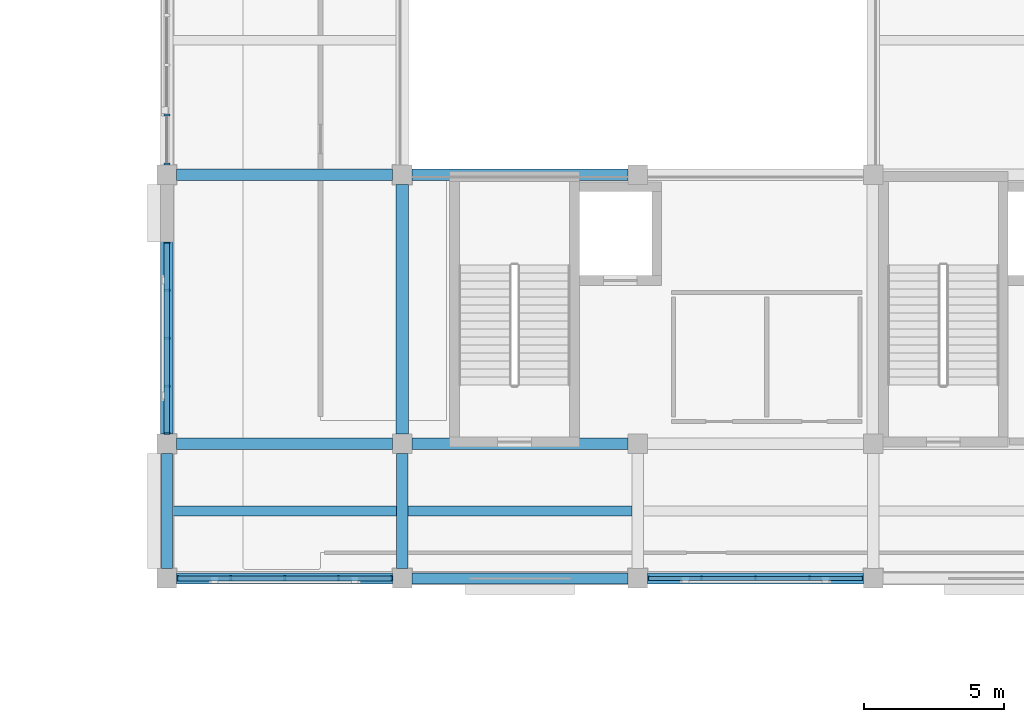
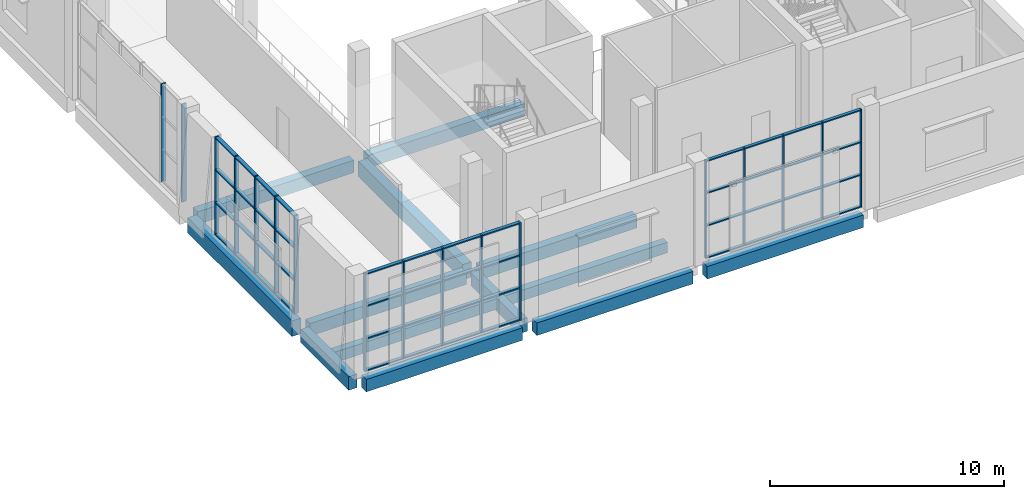
# One storey, part 27 of 72: 29 members, 13 beams, 4 elements without a shape of their own.
"""IFC4 building model written with IfcOpenShell, lengths in metres."""

from ifc_helpers import new_model, si_unit, direction, frame, origin, origin_2d, place, context, subcontext, project, spatial, rectangle, extrude, material, material_profile, profile_set, type_object, element, aggregate, save


model = new_model("IFC4")

# Units and contexts
model_context = context("Model", 3, precision=1e-05, world=origin(), true_north=direction((0.0, 1.0)))
body_context = subcontext(model_context, "Body", "Model", "MODEL_VIEW")
ifc_project = project(units=[si_unit("LENGTHUNIT", "METRE"), si_unit("AREAUNIT", "SQUARE_METRE"), si_unit("VOLUMEUNIT", "CUBIC_METRE"), si_unit("PLANEANGLEUNIT", "RADIAN"), si_unit("MASSUNIT", "GRAM", prefix="KILO")], contexts=[model_context])

# Site, building, storey
site_placement = place(None, origin())
site = spatial("IfcSite", under=ifc_project, at=site_placement, CompositionType="ELEMENT")
building_placement = place(site_placement, origin())
building = spatial("IfcBuilding", under=site, at=building_placement, Name="Shalvenor Court Art Gallery", CompositionType="ELEMENT")
storey_placement = place(building_placement, frame((0.0, 0.0, 11.39990234375)))
storey = spatial("IfcBuildingStorey", under=building, at=storey_placement, Name="L02", CompositionType="ELEMENT", Elevation=11.39990234375)

# Beams
ifc_material_1 = material(Name="Concrete C40/50", Category="concrete")
ifc_material_profile_1 = material_profile(ifc_material_1, rectangle(XDim=0.449951171875, YDim=0.800048828125, at=origin_2d()), Name="RC 450x800")
ifc_profile_set_1 = profile_set([ifc_material_profile_1], Name="Concrete C40/50")
beam_type_1 = type_object("IfcBeamType", Name="B-03", PredefinedType="BEAM", material=ifc_profile_set_1)
for number, where, z_axis, x_axis, name in (
    (1, (142.800048828125, 50.75, -0.719970703125), (0.0, 1.0, 0.0), (-1.0, 0.0, 0.0), "L02 Girder BM-L02-B-03-0771"),
    (2, (151.199951171875, 50.75, -0.719970703125), (0.0, 1.0, 0.0), (-1.0, 0.0, 0.0), "L02 Girder BM-L02-B-03-0777"),
):
    element("IfcBeam", number, at=place(storey_placement, frame(where, z_axis=z_axis, x_axis=x_axis)), inside=storey, type_object=beam_type_1, Name=name, PredefinedType="BEAM", context=body_context, shape_type="SweptSolid", body=[
        extrude(rectangle(XDim=0.449951171875, YDim=0.800048828125, at=origin_2d()), origin(), (0.0, 0.0, 1.0), 8.89990234375),
    ])
ifc_material_2 = material(Name="Concrete C40/50", Category="concrete")
ifc_material_profile_2 = material_profile(ifc_material_2, rectangle(XDim=0.39990234375, YDim=0.699951171875, at=origin_2d()), Name="RC 400x700")
ifc_profile_set_2 = profile_set([ifc_material_profile_2], Name="Concrete C40/50")
beam_type_2 = type_object("IfcBeamType", Name="B-05", PredefinedType="BEAM", material=ifc_profile_set_2)
for number, where, z_axis, x_axis, name in (
    (3, (142.800048828125, 45.949951171875, -0.669921875), (0.0, 1.0, 0.0), (-1.0, 0.0, 0.0), "L02 Girder BM-L02-B-05-0770"),
    (4, (151.199951171875, 45.949951171875, -0.669921875), (0.0, 1.0, 0.0), (-1.0, 0.0, 0.0), "L02 Girder BM-L02-B-05-0776"),
):
    element("IfcBeam", number, at=place(storey_placement, frame(where, z_axis=z_axis, x_axis=x_axis)), inside=storey, type_object=beam_type_2, Name=name, PredefinedType="BEAM", context=body_context, shape_type="SweptSolid", body=[
        extrude(rectangle(XDim=0.39990234375, YDim=0.699951171875, at=origin_2d()), origin(), (0.0, 0.0, 1.0), 4.10009765625),
    ])
ifc_material_3 = material(Name="Concrete C40/50", Category="concrete")
ifc_material_profile_3 = material_profile(ifc_material_3, rectangle(XDim=0.39990234375, YDim=0.64990234375, at=origin_2d()), Name="RC 400x650")
ifc_profile_set_3 = profile_set([ifc_material_profile_3], Name="Concrete C40/50")
beam_type_3 = type_object("IfcBeamType", Name="B-06", PredefinedType="BEAM", material=ifc_profile_set_3)
beam_1_placement = place(storey_placement, frame((143.14990234375, 45.60009765625, -0.64501953125), z_axis=(1.0, 0.0, 0.0), x_axis=(0.0, 1.0, 0.0)))
element("IfcBeam", 5, at=beam_1_placement, inside=storey, type_object=beam_type_3, Name="L02 Girder BM-L02-B-06-0841", PredefinedType="BEAM", context=body_context, shape_type="SweptSolid", body=[
    extrude(rectangle(XDim=0.39990234375, YDim=0.64990234375, at=origin_2d()), origin(), (0.0, 0.0, 1.0), 7.7001953125),
])
for number, where, z_axis, x_axis, name in (
    (6, (151.550048828125, 45.60009765625, -0.64501953125), (1.0, 0.0, 0.0), (0.0, 1.0, 0.0), "L02 Girder BM-L02-B-06-0842"),
    (7, (159.949951171875, 45.60009765625, -0.64501953125), (1.0, 0.0, 0.0), (0.0, 1.0, 0.0), "L02 Girder BM-L02-B-06-0843"),
):
    element("IfcBeam", number, at=place(storey_placement, frame(where, z_axis=z_axis, x_axis=x_axis)), inside=storey, type_object=beam_type_3, Name=name, PredefinedType="BEAM", context=body_context, shape_type="SweptSolid", body=[
        extrude(rectangle(XDim=0.39990234375, YDim=0.64990234375, at=origin_2d()), origin(), (0.0, 0.0, 1.0), 7.699951171875),
    ])
beam_2_placement = place(storey_placement, frame((143.14990234375, 50.39990234375, -0.64501953125), z_axis=(1.0, 0.0, 0.0), x_axis=(0.0, 1.0, 0.0)))
element("IfcBeam", 8, at=beam_2_placement, inside=storey, type_object=beam_type_3, Name="L02 Girder BM-L02-B-06-0845", PredefinedType="BEAM", context=body_context, shape_type="SweptSolid", body=[
    extrude(rectangle(XDim=0.39990234375, YDim=0.64990234375, at=origin_2d()), origin(), (0.0, 0.0, 1.0), 7.7001953125),
])
beam_3_placement = place(storey_placement, frame((151.550048828125, 50.39990234375, -0.64501953125), z_axis=(1.0, 0.0, 0.0), x_axis=(0.0, 1.0, 0.0)))
element("IfcBeam", 9, at=beam_3_placement, inside=storey, type_object=beam_type_3, Name="L02 Girder BM-L02-B-06-0846", PredefinedType="BEAM", context=body_context, shape_type="SweptSolid", body=[
    extrude(rectangle(XDim=0.39990234375, YDim=0.64990234375, at=origin_2d()), origin(), (0.0, 0.0, 1.0), 7.699951171875),
])
beam_4_placement = place(storey_placement, frame((143.14990234375, 60.0, -0.64501953125), z_axis=(1.0, 0.0, 0.0), x_axis=(0.0, 1.0, 0.0)))
element("IfcBeam", 10, at=beam_4_placement, inside=storey, type_object=beam_type_3, Name="L02 Girder BM-L02-B-06-0849", PredefinedType="BEAM", context=body_context, shape_type="SweptSolid", body=[
    extrude(rectangle(XDim=0.39990234375, YDim=0.64990234375, at=origin_2d()), origin(), (0.0, 0.0, 1.0), 7.7001953125),
])
beam_5_placement = place(storey_placement, frame((151.550048828125, 60.0, -0.64501953125), z_axis=(1.0, 0.0, 0.0), x_axis=(0.0, 1.0, 0.0)))
element("IfcBeam", 11, at=beam_5_placement, inside=storey, type_object=beam_type_3, Name="L02 Girder BM-L02-B-06-0850", PredefinedType="BEAM", context=body_context, shape_type="SweptSolid", body=[
    extrude(rectangle(XDim=0.39990234375, YDim=0.64990234375, at=origin_2d()), origin(), (0.0, 0.0, 1.0), 7.699951171875),
])

# Curtain wall, members
ifc_material_4 = material(Name="Anodised aluminium and low-iron glass curtain wall", Category="aluminium")
curtain_wall_type_1 = type_object("IfcCurtainWallType", Name="CW-4x3-77-51-122", PredefinedType="USERDEFINED", material=ifc_material_4)
curtain_wall_1_placement = place(storey_placement, origin())
curtain_wall_1 = element("IfcCurtainWall", 12, at=curtain_wall_1_placement, inside=storey, type_object=curtain_wall_type_1, Name="L02 V1 Curtain Wall CW-L02-016", ObjectType="CURTAIN WALL", PredefinedType="USERDEFINED")
ifc_material_5 = material(Name="Anodised aluminium mullion", Category="aluminium")
ifc_material_profile_4 = material_profile(ifc_material_5, rectangle(XDim=0.06494140625, YDim=0.179931640625, at=origin_2d()), Name="CWM-01")
ifc_profile_set_4 = profile_set([ifc_material_profile_4], Name="Anodised aluminium mullion")
member_type_1 = type_object("IfcMemberType", Name="CWM-01", PredefinedType="MULLION", material=ifc_profile_set_4)
member_1_placement = place(storey_placement, frame((150.8173828125, 45.60009765625, 0.0), z_axis=(0.0, 0.0, 1.0), x_axis=(-1.0, 0.0, 0.0)))
member_1 = element("IfcMember", 13, at=member_1_placement, type_object=member_type_1, Name="CW-4x3-77-51-122 mullion 1", PredefinedType="MULLION", context=body_context, shape_type="SweptSolid", body=[
    extrude(rectangle(XDim=0.06494140625, YDim=0.179931640625, at=origin_2d()), origin(), (0.0, 0.0, 1.0), 5.10009765625),
])
member_2_placement = place(storey_placement, frame((148.925048828125, 45.60009765625, 0.0), z_axis=(0.0, 0.0, 1.0), x_axis=(-1.0, 0.0, 0.0)))
member_2 = element("IfcMember", 14, at=member_2_placement, type_object=member_type_1, Name="CW-4x3-77-51-122 mullion 2", PredefinedType="MULLION", context=body_context, shape_type="SweptSolid", body=[
    extrude(rectangle(XDim=0.06494140625, YDim=0.179931640625, at=origin_2d()), origin(), (0.0, 0.0, 1.0), 5.10009765625),
])
member_3_placement = place(storey_placement, frame((147.0, 45.60009765625, 0.0), z_axis=(0.0, 0.0, 1.0), x_axis=(-1.0, 0.0, 0.0)))
member_3 = element("IfcMember", 15, at=member_3_placement, type_object=member_type_1, Name="CW-4x3-77-51-122 mullion 3", PredefinedType="MULLION", context=body_context, shape_type="SweptSolid", body=[
    extrude(rectangle(XDim=0.06494140625, YDim=0.179931640625, at=origin_2d()), origin(), (0.0, 0.0, 1.0), 5.10009765625),
])
member_4_placement = place(storey_placement, frame((145.074951171875, 45.60009765625, 0.0), z_axis=(0.0, 0.0, 1.0), x_axis=(-1.0, 0.0, 0.0)))
member_4 = element("IfcMember", 16, at=member_4_placement, type_object=member_type_1, Name="CW-4x3-77-51-122 mullion 4", PredefinedType="MULLION", context=body_context, shape_type="SweptSolid", body=[
    extrude(rectangle(XDim=0.06494140625, YDim=0.179931640625, at=origin_2d()), origin(), (0.0, 0.0, 1.0), 5.10009765625),
])
member_5_placement = place(storey_placement, frame((143.1826171875, 45.60009765625, 0.0), z_axis=(0.0, 0.0, 1.0), x_axis=(-1.0, 0.0, 0.0)))
member_5 = element("IfcMember", 17, at=member_5_placement, type_object=member_type_1, Name="CW-4x3-77-51-122 mullion 5", PredefinedType="MULLION", context=body_context, shape_type="SweptSolid", body=[
    extrude(rectangle(XDim=0.06494140625, YDim=0.179931640625, at=origin_2d()), origin(), (0.0, 0.0, 1.0), 5.10009765625),
])

ifc_material_6 = material(Name="Anodised aluminium and low-iron glass curtain wall", Category="aluminium")
curtain_wall_type_2 = type_object("IfcCurtainWallType", Name="CW-4x3-68-51-242", PredefinedType="USERDEFINED", material=ifc_material_6)
curtain_wall_2_placement = place(storey_placement, origin())
curtain_wall_2 = element("IfcCurtainWall", 18, at=curtain_wall_2_placement, inside=storey, type_object=curtain_wall_type_2, Name="L02 V1 Curtain Wall CW-L02-017", ObjectType="CURTAIN WALL", PredefinedType="USERDEFINED")
ifc_material_7 = material(Name="Anodised aluminium mullion", Category="aluminium")
ifc_material_profile_5 = material_profile(ifc_material_7, rectangle(XDim=0.070068359375, YDim=0.199951171875, at=origin_2d()), Name="CWM-02")
ifc_profile_set_5 = profile_set([ifc_material_profile_5], Name="Anodised aluminium mullion")
member_type_2 = type_object("IfcMemberType", Name="CWM-02", PredefinedType="MULLION", material=ifc_profile_set_5)
member_6_placement = place(storey_placement, frame((142.800048828125, 50.784912109375, 0.0), z_axis=(0.0, 0.0, 1.0), x_axis=(0.0, 1.0, 0.0)))
member_6 = element("IfcMember", 19, at=member_6_placement, type_object=member_type_2, Name="CW-4x3-68-51-242 mullion 1", PredefinedType="MULLION", context=body_context, shape_type="SweptSolid", body=[
    extrude(rectangle(XDim=0.070068359375, YDim=0.199951171875, at=origin_2d()), origin(), (0.0, 0.0, 1.0), 5.10009765625),
])
member_7_placement = place(storey_placement, frame((142.800048828125, 52.46240234375, 0.0), z_axis=(0.0, 0.0, 1.0), x_axis=(0.0, 1.0, 0.0)))
member_7 = element("IfcMember", 20, at=member_7_placement, type_object=member_type_2, Name="CW-4x3-68-51-242 mullion 2", PredefinedType="MULLION", context=body_context, shape_type="SweptSolid", body=[
    extrude(rectangle(XDim=0.070068359375, YDim=0.199951171875, at=origin_2d()), origin(), (0.0, 0.0, 1.0), 5.10009765625),
])
member_8_placement = place(storey_placement, frame((142.800048828125, 54.175048828125, 0.0), z_axis=(0.0, 0.0, 1.0), x_axis=(0.0, 1.0, 0.0)))
member_8 = element("IfcMember", 21, at=member_8_placement, type_object=member_type_2, Name="CW-4x3-68-51-242 mullion 3", PredefinedType="MULLION", context=body_context, shape_type="SweptSolid", body=[
    extrude(rectangle(XDim=0.070068359375, YDim=0.199951171875, at=origin_2d()), origin(), (0.0, 0.0, 1.0), 5.10009765625),
])
member_9_placement = place(storey_placement, frame((142.800048828125, 55.887451171875, 0.0), z_axis=(0.0, 0.0, 1.0), x_axis=(0.0, 1.0, 0.0)))
member_9 = element("IfcMember", 22, at=member_9_placement, type_object=member_type_2, Name="CW-4x3-68-51-242 mullion 4", PredefinedType="MULLION", context=body_context, shape_type="SweptSolid", body=[
    extrude(rectangle(XDim=0.070068359375, YDim=0.199951171875, at=origin_2d()), origin(), (0.0, 0.0, 1.0), 5.10009765625),
])
member_10_placement = place(storey_placement, frame((142.800048828125, 57.56494140625, 0.0), z_axis=(0.0, 0.0, 1.0), x_axis=(0.0, 1.0, 0.0)))
member_10 = element("IfcMember", 23, at=member_10_placement, type_object=member_type_2, Name="CW-4x3-68-51-242 mullion 5", PredefinedType="MULLION", context=body_context, shape_type="SweptSolid", body=[
    extrude(rectangle(XDim=0.070068359375, YDim=0.199951171875, at=origin_2d()), origin(), (0.0, 0.0, 1.0), 5.10009765625),
])

ifc_material_8 = material(Name="Anodised aluminium and low-iron glass curtain wall", Category="aluminium")
curtain_wall_type_3 = type_object("IfcCurtainWallType", Name="CW-5x3-89-51-412", PredefinedType="USERDEFINED", material=ifc_material_8)
curtain_wall_3_placement = place(storey_placement, origin())
curtain_wall_3 = element("IfcCurtainWall", 24, at=curtain_wall_3_placement, inside=storey, type_object=curtain_wall_type_3, Name="L02 V1 Curtain Wall CW-L02-018", ObjectType="CURTAIN WALL", PredefinedType="USERDEFINED")
ifc_material_9 = material(Name="Anodised aluminium mullion", Category="aluminium")
ifc_material_profile_6 = material_profile(ifc_material_9, rectangle(XDim=0.074951171875, YDim=0.219970703125, at=origin_2d()), Name="CWM-04")
ifc_profile_set_6 = profile_set([ifc_material_profile_6], Name="Anodised aluminium mullion")
member_type_3 = type_object("IfcMemberType", Name="CWM-04", PredefinedType="MULLION", material=ifc_profile_set_6)
member_11_placement = place(storey_placement, frame((142.800048828125, 60.387451171875, 0.0), z_axis=(0.0, 0.0, 1.0), x_axis=(0.0, 1.0, 0.0)))
member_11 = element("IfcMember", 25, at=member_11_placement, type_object=member_type_3, Name="CW-5x3-89-51-412 mullion 1", PredefinedType="MULLION", context=body_context, shape_type="SweptSolid", body=[
    extrude(rectangle(XDim=0.074951171875, YDim=0.219970703125, at=origin_2d()), origin(), (0.0, 0.0, 1.0), 5.10009765625),
])
member_12_placement = place(storey_placement, frame((142.800048828125, 62.1298828125, 0.0), z_axis=(0.0, 0.0, 1.0), x_axis=(0.0, 1.0, 0.0)))
member_12 = element("IfcMember", 26, at=member_12_placement, type_object=member_type_3, Name="CW-5x3-89-51-412 mullion 2", PredefinedType="MULLION", context=body_context, shape_type="SweptSolid", body=[
    extrude(rectangle(XDim=0.074951171875, YDim=0.219970703125, at=origin_2d()), origin(), (0.0, 0.0, 1.0), 5.10009765625),
])
aggregate(curtain_wall_3, [member_11, member_12])

ifc_material_10 = material(Name="Anodised aluminium and low-iron glass curtain wall", Category="aluminium")
curtain_wall_type_4 = type_object("IfcCurtainWallType", Name="CW-4x3-77-51-612", PredefinedType="USERDEFINED", material=ifc_material_10)
curtain_wall_4_placement = place(storey_placement, origin())
curtain_wall_4 = element("IfcCurtainWall", 27, at=curtain_wall_4_placement, inside=storey, type_object=curtain_wall_type_4, Name="L02 V1 Curtain Wall CW-L02-015", ObjectType="CURTAIN WALL", PredefinedType="USERDEFINED")
ifc_material_11 = material(Name="Anodised aluminium mullion", Category="aluminium")
ifc_material_profile_7 = material_profile(ifc_material_11, rectangle(XDim=0.054931640625, YDim=0.139892578125, at=origin_2d()), Name="CWM-06")
ifc_profile_set_7 = profile_set([ifc_material_profile_7], Name="Anodised aluminium mullion")
member_type_4 = type_object("IfcMemberType", Name="CWM-06", PredefinedType="MULLION", material=ifc_profile_set_7)
member_13_placement = place(storey_placement, frame((167.62255859375, 45.60009765625, 0.0), z_axis=(0.0, 0.0, 1.0), x_axis=(-1.0, 0.0, 0.0)))
member_13 = element("IfcMember", 28, at=member_13_placement, type_object=member_type_4, Name="CW-4x3-77-51-612 mullion 1", PredefinedType="MULLION", context=body_context, shape_type="SweptSolid", body=[
    extrude(rectangle(XDim=0.054931640625, YDim=0.139892578125, at=origin_2d()), origin(), (0.0, 0.0, 1.0), 5.10009765625),
])
member_14_placement = place(storey_placement, frame((165.72509765625, 45.60009765625, 0.0), z_axis=(0.0, 0.0, 1.0), x_axis=(-1.0, 0.0, 0.0)))
member_14 = element("IfcMember", 29, at=member_14_placement, type_object=member_type_4, Name="CW-4x3-77-51-612 mullion 2", PredefinedType="MULLION", context=body_context, shape_type="SweptSolid", body=[
    extrude(rectangle(XDim=0.054931640625, YDim=0.139892578125, at=origin_2d()), origin(), (0.0, 0.0, 1.0), 5.10009765625),
])
member_15_placement = place(storey_placement, frame((163.800048828125, 45.60009765625, 0.0), z_axis=(0.0, 0.0, 1.0), x_axis=(-1.0, 0.0, 0.0)))
member_15 = element("IfcMember", 30, at=member_15_placement, type_object=member_type_4, Name="CW-4x3-77-51-612 mullion 3", PredefinedType="MULLION", context=body_context, shape_type="SweptSolid", body=[
    extrude(rectangle(XDim=0.054931640625, YDim=0.139892578125, at=origin_2d()), origin(), (0.0, 0.0, 1.0), 5.10009765625),
])
member_16_placement = place(storey_placement, frame((161.875, 45.60009765625, 0.0), z_axis=(0.0, 0.0, 1.0), x_axis=(-1.0, 0.0, 0.0)))
member_16 = element("IfcMember", 31, at=member_16_placement, type_object=member_type_4, Name="CW-4x3-77-51-612 mullion 4", PredefinedType="MULLION", context=body_context, shape_type="SweptSolid", body=[
    extrude(rectangle(XDim=0.054931640625, YDim=0.139892578125, at=origin_2d()), origin(), (0.0, 0.0, 1.0), 5.10009765625),
])
member_17_placement = place(storey_placement, frame((159.9775390625, 45.60009765625, 0.0), z_axis=(0.0, 0.0, 1.0), x_axis=(-1.0, 0.0, 0.0)))
member_17 = element("IfcMember", 32, at=member_17_placement, type_object=member_type_4, Name="CW-4x3-77-51-612 mullion 5", PredefinedType="MULLION", context=body_context, shape_type="SweptSolid", body=[
    extrude(rectangle(XDim=0.054931640625, YDim=0.139892578125, at=origin_2d()), origin(), (0.0, 0.0, 1.0), 5.10009765625),
])
ifc_material_12 = material(Name="Anodised aluminium transom", Category="aluminium")
ifc_material_profile_8 = material_profile(ifc_material_12, rectangle(XDim=0.14990234375, YDim=0.06005859375, at=origin_2d()), Name="CWT-01")
ifc_profile_set_8 = profile_set([ifc_material_profile_8], Name="Anodised aluminium transom")
member_type_5 = type_object("IfcMemberType", Name="CWT-01", PredefinedType="USERDEFINED", material=ifc_profile_set_8)
member_18_placement = place(storey_placement, frame((167.62255859375, 45.60009765625, 0.030029296875), z_axis=(-1.0, 0.0, 0.0), x_axis=(0.0, -1.0, 0.0)))
member_18 = element("IfcMember", 33, at=member_18_placement, type_object=member_type_5, Name="CW-4x3-77-51-612 transom 1", ObjectType="TRANSOM", PredefinedType="USERDEFINED", context=body_context, shape_type="SweptSolid", body=[
    extrude(rectangle(XDim=0.14990234375, YDim=0.06005859375, at=origin_2d()), origin(), (0.0, 0.0, 1.0), 7.64501953125),
])
member_19_placement = place(storey_placement, frame((167.62255859375, 45.60009765625, 1.7001953125), z_axis=(-1.0, 0.0, 0.0), x_axis=(0.0, -1.0, 0.0)))
member_19 = element("IfcMember", 34, at=member_19_placement, type_object=member_type_5, Name="CW-4x3-77-51-612 transom 2", ObjectType="TRANSOM", PredefinedType="USERDEFINED", context=body_context, shape_type="SweptSolid", body=[
    extrude(rectangle(XDim=0.14990234375, YDim=0.06005859375, at=origin_2d()), origin(), (0.0, 0.0, 1.0), 7.64501953125),
])
member_20_placement = place(storey_placement, frame((167.62255859375, 45.60009765625, 3.400146484375), z_axis=(-1.0, 0.0, 0.0), x_axis=(0.0, -1.0, 0.0)))
member_20 = element("IfcMember", 35, at=member_20_placement, type_object=member_type_5, Name="CW-4x3-77-51-612 transom 3", ObjectType="TRANSOM", PredefinedType="USERDEFINED", context=body_context, shape_type="SweptSolid", body=[
    extrude(rectangle(XDim=0.14990234375, YDim=0.06005859375, at=origin_2d()), origin(), (0.0, 0.0, 1.0), 7.64501953125),
])
member_21_placement = place(storey_placement, frame((167.62255859375, 45.60009765625, 5.070068359375), z_axis=(-1.0, 0.0, 0.0), x_axis=(0.0, -1.0, 0.0)))
member_21 = element("IfcMember", 36, at=member_21_placement, type_object=member_type_5, Name="CW-4x3-77-51-612 transom 4", ObjectType="TRANSOM", PredefinedType="USERDEFINED", context=body_context, shape_type="SweptSolid", body=[
    extrude(rectangle(XDim=0.14990234375, YDim=0.06005859375, at=origin_2d()), origin(), (0.0, 0.0, 1.0), 7.64501953125),
])
aggregate(curtain_wall_4, [member_13, member_14, member_15, member_16, member_17, member_18, member_19, member_20, member_21])

# Member
ifc_material_13 = material(Name="Anodised aluminium transom", Category="aluminium")
ifc_material_profile_9 = material_profile(ifc_material_13, rectangle(XDim=0.169921875, YDim=0.06494140625, at=origin_2d()), Name="CWT-02")
ifc_profile_set_9 = profile_set([ifc_material_profile_9], Name="Anodised aluminium transom")
member_type_6 = type_object("IfcMemberType", Name="CWT-02", PredefinedType="USERDEFINED", material=ifc_profile_set_9)
member_22_placement = place(storey_placement, frame((150.8173828125, 45.60009765625, 0.03271484375), z_axis=(-1.0, 0.0, 0.0), x_axis=(0.0, -1.0, 0.0)))
member_22 = element("IfcMember", 37, at=member_22_placement, type_object=member_type_6, Name="CW-4x3-77-51-122 transom 1", ObjectType="TRANSOM", PredefinedType="USERDEFINED", context=body_context, shape_type="SweptSolid", body=[
    extrude(rectangle(XDim=0.169921875, YDim=0.06494140625, at=origin_2d()), origin(), (0.0, 0.0, 1.0), 7.634765625),
])

member_23_placement = place(storey_placement, frame((150.8173828125, 45.60009765625, 1.7001953125), z_axis=(-1.0, 0.0, 0.0), x_axis=(0.0, -1.0, 0.0)))
member_23 = element("IfcMember", 38, at=member_23_placement, type_object=member_type_6, Name="CW-4x3-77-51-122 transom 2", ObjectType="TRANSOM", PredefinedType="USERDEFINED", context=body_context, shape_type="SweptSolid", body=[
    extrude(rectangle(XDim=0.169921875, YDim=0.06494140625, at=origin_2d()), origin(), (0.0, 0.0, 1.0), 7.634765625),
])

member_24_placement = place(storey_placement, frame((150.8173828125, 45.60009765625, 3.400146484375), z_axis=(-1.0, 0.0, 0.0), x_axis=(0.0, -1.0, 0.0)))
member_24 = element("IfcMember", 39, at=member_24_placement, type_object=member_type_6, Name="CW-4x3-77-51-122 transom 3", ObjectType="TRANSOM", PredefinedType="USERDEFINED", context=body_context, shape_type="SweptSolid", body=[
    extrude(rectangle(XDim=0.169921875, YDim=0.06494140625, at=origin_2d()), origin(), (0.0, 0.0, 1.0), 7.634765625),
])

member_25_placement = place(storey_placement, frame((150.8173828125, 45.60009765625, 5.067626953125), z_axis=(-1.0, 0.0, 0.0), x_axis=(0.0, -1.0, 0.0)))
member_25 = element("IfcMember", 40, at=member_25_placement, type_object=member_type_6, Name="CW-4x3-77-51-122 transom 4", ObjectType="TRANSOM", PredefinedType="USERDEFINED", context=body_context, shape_type="SweptSolid", body=[
    extrude(rectangle(XDim=0.169921875, YDim=0.06494140625, at=origin_2d()), origin(), (0.0, 0.0, 1.0), 7.634765625),
])

aggregate(curtain_wall_1, [member_1, member_2, member_3, member_4, member_5, member_22, member_23, member_24, member_25])

ifc_material_14 = material(Name="Anodised aluminium transom", Category="aluminium")
ifc_material_profile_10 = material_profile(ifc_material_14, rectangle(XDim=0.18994140625, YDim=0.070068359375, at=origin_2d()), Name="CWT-04")
ifc_profile_set_10 = profile_set([ifc_material_profile_10], Name="Anodised aluminium transom")
member_type_7 = type_object("IfcMemberType", Name="CWT-04", PredefinedType="USERDEFINED", material=ifc_profile_set_10)
member_26_placement = place(storey_placement, frame((142.800048828125, 50.784912109375, 0.03515625), z_axis=(0.0, 1.0, 0.0), x_axis=(-1.0, 0.0, 0.0)))
member_26 = element("IfcMember", 41, at=member_26_placement, type_object=member_type_7, Name="CW-4x3-68-51-242 transom 1", ObjectType="TRANSOM", PredefinedType="USERDEFINED", context=body_context, shape_type="SweptSolid", body=[
    extrude(rectangle(XDim=0.18994140625, YDim=0.070068359375, at=origin_2d()), origin(), (0.0, 0.0, 1.0), 6.780029296875),
])

member_27_placement = place(storey_placement, frame((142.800048828125, 50.784912109375, 1.7001953125), z_axis=(0.0, 1.0, 0.0), x_axis=(-1.0, 0.0, 0.0)))
member_27 = element("IfcMember", 42, at=member_27_placement, type_object=member_type_7, Name="CW-4x3-68-51-242 transom 2", ObjectType="TRANSOM", PredefinedType="USERDEFINED", context=body_context, shape_type="SweptSolid", body=[
    extrude(rectangle(XDim=0.18994140625, YDim=0.070068359375, at=origin_2d()), origin(), (0.0, 0.0, 1.0), 6.780029296875),
])

member_28_placement = place(storey_placement, frame((142.800048828125, 50.784912109375, 3.400146484375), z_axis=(0.0, 1.0, 0.0), x_axis=(-1.0, 0.0, 0.0)))
member_28 = element("IfcMember", 43, at=member_28_placement, type_object=member_type_7, Name="CW-4x3-68-51-242 transom 3", ObjectType="TRANSOM", PredefinedType="USERDEFINED", context=body_context, shape_type="SweptSolid", body=[
    extrude(rectangle(XDim=0.18994140625, YDim=0.070068359375, at=origin_2d()), origin(), (0.0, 0.0, 1.0), 6.780029296875),
])

member_29_placement = place(storey_placement, frame((142.800048828125, 50.784912109375, 5.065185546875), z_axis=(0.0, 1.0, 0.0), x_axis=(-1.0, 0.0, 0.0)))
member_29 = element("IfcMember", 44, at=member_29_placement, type_object=member_type_7, Name="CW-4x3-68-51-242 transom 4", ObjectType="TRANSOM", PredefinedType="USERDEFINED", context=body_context, shape_type="SweptSolid", body=[
    extrude(rectangle(XDim=0.18994140625, YDim=0.070068359375, at=origin_2d()), origin(), (0.0, 0.0, 1.0), 6.780029296875),
])

aggregate(curtain_wall_2, [member_6, member_7, member_8, member_9, member_10, member_26, member_27, member_28, member_29])

# Beams
ifc_material_15 = material(Name="Concrete C40/50", Category="concrete")
ifc_material_profile_11 = material_profile(ifc_material_15, rectangle(XDim=0.35009765625, YDim=0.550048828125, at=origin_2d()), Name="RC 350x550")
ifc_profile_set_11 = profile_set([ifc_material_profile_11], Name="Concrete C40/50")
beam_type_4 = type_object("IfcBeamType", Name="J-02", PredefinedType="JOIST", material=ifc_profile_set_11)
for number, where, z_axis, x_axis, name in (
    (45, (143.0, 48.0, -0.594970703125), (1.0, 0.0, 0.0), (0.0, 1.0, 0.0), "L02 Secondary Beam JST-L02-J-02-0950"),
    (46, (151.39990234375, 48.0, -0.594970703125), (1.0, 0.0, 0.0), (0.0, 1.0, 0.0), "L02 Secondary Beam JST-L02-J-02-0955"),
):
    element("IfcBeam", number, at=place(storey_placement, frame(where, z_axis=z_axis, x_axis=x_axis)), inside=storey, type_object=beam_type_4, Name=name, PredefinedType="JOIST", context=body_context, shape_type="SweptSolid", body=[
        extrude(rectangle(XDim=0.35009765625, YDim=0.550048828125, at=origin_2d()), origin(), (0.0, 0.0, 1.0), 8.0),
    ])

save(model, "model.ifc")
